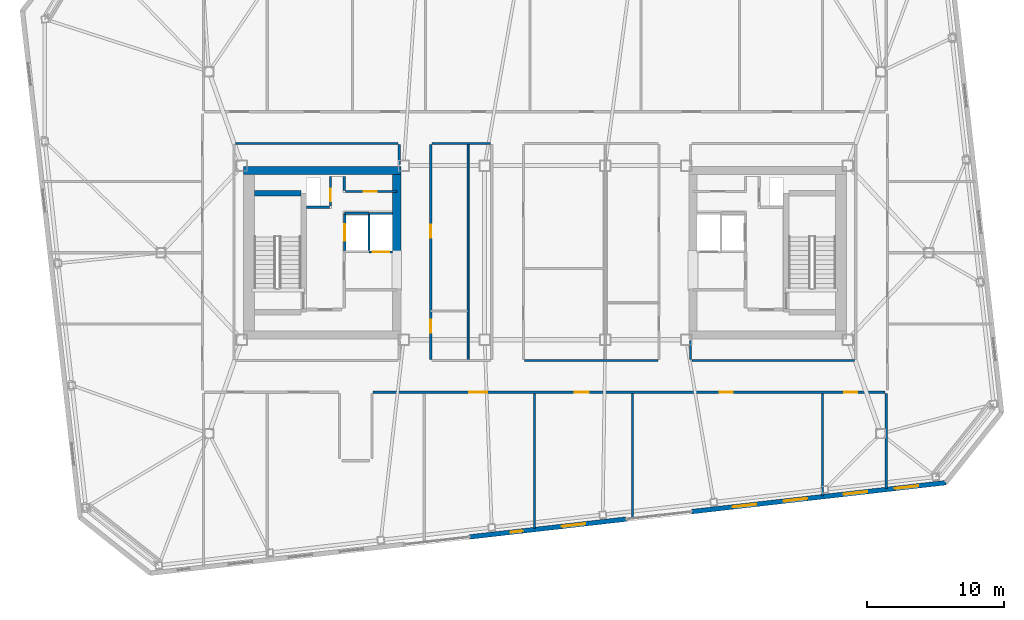
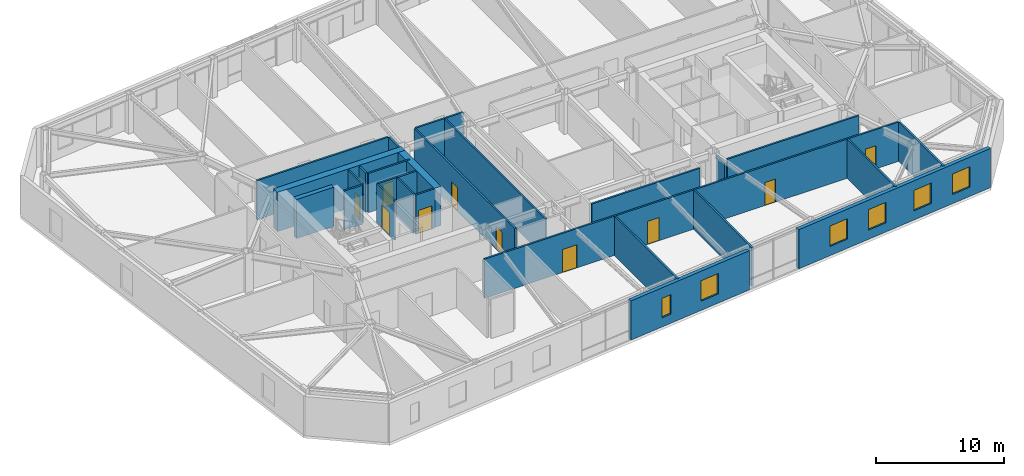
# One storey, part 13 of 20: 27 walls, 10 doors, 6 windows, 16 openings.
"""IFC4 building model written with IfcOpenShell, lengths in metres."""

from ifc_helpers import new_model, si_unit, direction, frame, frame_2d, origin, place, context, subcontext, project, spatial, rectangle, extrude, material, layer, layer_set, type_object, element, fill, save


model = new_model("IFC4")

# Units and contexts
model_context = context("Model", 3, precision=1e-05, world=origin(), true_north=direction((0.0, 1.0)))
body_context = subcontext(model_context, "Body", "Model", "MODEL_VIEW")
ifc_project = project(units=[si_unit("LENGTHUNIT", "METRE"), si_unit("AREAUNIT", "SQUARE_METRE"), si_unit("VOLUMEUNIT", "CUBIC_METRE"), si_unit("PLANEANGLEUNIT", "RADIAN"), si_unit("MASSUNIT", "GRAM", prefix="KILO")], contexts=[model_context])

# Site, building, storey
site_placement = place(None, origin())
site = spatial("IfcSite", under=ifc_project, at=site_placement, CompositionType="ELEMENT")
building_placement = place(site_placement, origin())
building = spatial("IfcBuilding", under=site, at=building_placement, Name="Tavrogorsk Clinical Tower", CompositionType="ELEMENT")
storey_placement = place(building_placement, frame((0.0, 0.0, 251.0)))
storey = spatial("IfcBuildingStorey", under=building, at=storey_placement, Name="L58", CompositionType="ELEMENT", Elevation=251.0)

# Wall
ifc_material_1 = material(Name="Lightweight concrete blockwork B15", Category="masonry")
ifc_layer_1 = layer(ifc_material_1, 0.139892578125)
ifc_layer_set_1 = layer_set([ifc_layer_1], Name="Lightweight concrete blockwork B15")
wall_type_1 = type_object("IfcWallType", Name="PartitionWall_140", PredefinedType="PARTITIONING", material=ifc_layer_set_1)
wall_1_placement = place(storey_placement, frame((-5.60009765625, -7.864990234375, 0.0), z_axis=(0.0, 0.0, 1.0), x_axis=(0.0, 1.0, 0.0)))
element("IfcWall", 1, at=wall_1_placement, inside=storey, type_object=wall_type_1, Name="L58 Central Spine Partition 1", PredefinedType="PARTITIONING", context=body_context, shape_type="SweptSolid", body=[
    extrude(rectangle(XDim=15.830078125, YDim=0.139892578125, at=frame_2d((7.9150390625, 0.0))), origin(), (0.0, 0.0, 1.0), 3.739990234375),
])

# Wall, opening, door
ifc_material_2 = material(Name="Lightweight concrete blockwork B15", Category="masonry")
ifc_layer_2 = layer(ifc_material_2, 0.159912109375)
ifc_layer_set_2 = layer_set([ifc_layer_2], Name="Lightweight concrete blockwork B15")
wall_type_2 = type_object("IfcWallType", Name="PartitionWall_160", PredefinedType="PARTITIONING", material=ifc_layer_set_2)
wall_2_placement = place(storey_placement, frame((-14.554931640625, 4.4599609375, 0.0), z_axis=(0.0, 0.0, 1.0), x_axis=(1.0, 0.0, 0.0)))
wall_2 = element("IfcWall", 2, at=wall_2_placement, inside=storey, type_object=wall_type_2, Name="L58 Core West Pneumatic Dispatch South Wall", PredefinedType="PARTITIONING", context=body_context, shape_type="SweptSolid", body=[
    extrude(rectangle(XDim=3.7548828125, YDim=0.159912109375, at=frame_2d((1.87744140625, 0.0))), origin(), (0.0, 0.0, 1.0), 3.739990234375),
])
opening_1_placement = place(wall_2_placement, frame((1.35009765625, 0.0, 0.0)))
opening_1 = element("IfcOpeningElement", 3, at=opening_1_placement, cuts=wall_2, Name="Opening ID-02", PredefinedType="OPENING", context=body_context, shape_type="SweptSolid", body=[
    extrude(rectangle(XDim=0.949951171875, YDim=2.199951171875, at=frame_2d((0.47509765625, 1.10009765625))), frame((0.0, 0.08984375, 0.0), z_axis=(0.0, -1.0, 0.0), x_axis=(1.0, 0.0, 0.0)), (0.0, 0.0, 1.0), 0.179931640625),
])
ifc_material_3 = material(Name="Laminated timber leaf on aluminium frame", Category="wood")
door_type_1 = type_object("IfcDoorType", Name="InteriorDoor_ID02_950", OperationType="NOTDEFINED", PredefinedType="DOOR", material=ifc_material_3)
door_1_placement = place(opening_1_placement, origin())
door_1 = element("IfcDoor", 4, at=door_1_placement, inside=storey, type_object=door_type_1, Name="L58 Core West Pneumatic Dispatch Door", OperationType="SINGLE_SWING_LEFT", OverallHeight=2.199951171875, OverallWidth=0.949951171875, PredefinedType="DOOR", context=body_context, shape_type="SweptSolid", body=[
    extrude(rectangle(XDim=0.949951171875, YDim=2.199951171875, at=frame_2d((0.47509765625, 1.10009765625))), frame((0.0, 0.02490234375, 0.0), z_axis=(0.0, -1.0, 0.0), x_axis=(1.0, 0.0, 0.0)), (0.0, 0.0, 1.0), 0.050048828125),
])
fill(opening_1, door_1)

# Wall
wall_3_placement = place(storey_placement, frame((-14.639892578125, 4.544921875, 0.0), z_axis=(0.0, 0.0, 1.0), x_axis=(0.0, 1.0, 0.0)))
element("IfcWall", 5, at=wall_3_placement, inside=storey, type_object=wall_type_2, Name="L58 Core West Pneumatic Dispatch East Wall", PredefinedType="PARTITIONING", context=body_context, shape_type="SweptSolid", body=[
    extrude(rectangle(XDim=1.01513671875, YDim=0.159912109375, at=frame_2d((0.507568359375, 0.0))), origin(), (0.0, 0.0, 1.0), 3.739990234375),
])

# Wall, openings, doors
wall_4_placement = place(storey_placement, frame((24.81494140625, -10.179931640625, 0.0), z_axis=(0.0, 0.0, 1.0), x_axis=(-1.0, 0.0, 0.0)))
wall_4 = element("IfcWall", 6, at=wall_4_placement, inside=storey, type_object=wall_type_2, Name="L58 Corridor Partition 04", PredefinedType="PARTITIONING", context=body_context, shape_type="SweptSolid", body=[
    extrude(rectangle(XDim=37.349853515625, YDim=0.159912109375, at=frame_2d((18.6748046875, 0.0))), origin(), (0.0, 0.0, 1.0), 3.739990234375),
])
opening_2_placement = place(wall_4_placement, frame((29.02490234375, 0.0, 0.0)))
opening_2 = element("IfcOpeningElement", 7, at=opening_2_placement, cuts=wall_4, Name="Opening ID-01", PredefinedType="OPENING", context=body_context, shape_type="SweptSolid", body=[
    extrude(rectangle(XDim=1.300048828125, YDim=2.199951171875, at=frame_2d((0.64990234375, 1.10009765625))), frame((0.0, 0.08984375, 0.0), z_axis=(0.0, -1.0, 0.0), x_axis=(1.0, 0.0, 0.0)), (0.0, 0.0, 1.0), 0.179931640625),
])
opening_3_placement = place(wall_4_placement, frame((21.60009765625, 0.0, 0.0)))
opening_3 = element("IfcOpeningElement", 8, at=opening_3_placement, cuts=wall_4, Name="Opening ID-04", PredefinedType="OPENING", context=body_context, shape_type="SweptSolid", body=[
    extrude(rectangle(XDim=1.050048828125, YDim=2.199951171875, at=frame_2d((0.52490234375, 1.10009765625))), frame((0.0, 0.08984375, 0.0), z_axis=(0.0, -1.0, 0.0), x_axis=(1.0, 0.0, 0.0)), (0.0, 0.0, 1.0), 0.179931640625),
])
opening_4_placement = place(wall_4_placement, frame((11.10009765625, 0.0, 0.0)))
opening_4 = element("IfcOpeningElement", 9, at=opening_4_placement, cuts=wall_4, Name="Opening ID-02", PredefinedType="OPENING", context=body_context, shape_type="SweptSolid", body=[
    extrude(rectangle(XDim=0.949951171875, YDim=2.199951171875, at=frame_2d((0.47509765625, 1.10009765625))), frame((0.0, 0.08984375, 0.0), z_axis=(0.0, -1.0, 0.0), x_axis=(1.0, 0.0, 0.0)), (0.0, 0.0, 1.0), 0.179931640625),
])
opening_5_placement = place(wall_4_placement, frame((2.044189453125, 0.0, 0.0)))
opening_5 = element("IfcOpeningElement", 10, at=opening_5_placement, cuts=wall_4, Name="Opening ID-02", PredefinedType="OPENING", context=body_context, shape_type="SweptSolid", body=[
    extrude(rectangle(XDim=0.949951171875, YDim=2.199951171875, at=frame_2d((0.47509765625, 1.10009765625))), frame((0.0, 0.08984375, 0.0), z_axis=(0.0, -1.0, 0.0), x_axis=(1.0, 0.0, 0.0)), (0.0, 0.0, 1.0), 0.179931640625),
])
ifc_material_4 = material(Name="Antibacterial HPL consultation door on aluminium frame", Category="aluminium")
door_type_2 = type_object("IfcDoorType", Name="ConsultDoor_ID04_1050", OperationType="NOTDEFINED", PredefinedType="DOOR", material=ifc_material_4)
door_2_placement = place(opening_3_placement, origin())
door_2 = element("IfcDoor", 11, at=door_2_placement, inside=storey, type_object=door_type_2, Name="L58 South Clean Medication & Prep Room 03B Door", OperationType="SINGLE_SWING_RIGHT", OverallHeight=2.199951171875, OverallWidth=1.050048828125, PredefinedType="DOOR", context=body_context, shape_type="SweptSolid", body=[
    extrude(rectangle(XDim=1.050048828125, YDim=2.199951171875, at=frame_2d((0.52490234375, 1.10009765625))), frame((0.0, 0.02490234375, 0.0), z_axis=(0.0, -1.0, 0.0), x_axis=(1.0, 0.0, 0.0)), (0.0, 0.0, 1.0), 0.050048828125),
])
fill(opening_3, door_2)
door_3_placement = place(opening_4_placement, origin())
door_3 = element("IfcDoor", 12, at=door_3_placement, inside=storey, type_object=door_type_1, Name="L58 South Soiled Utility & Sluice Room 04 Door", OperationType="SINGLE_SWING_LEFT", OverallHeight=2.199951171875, OverallWidth=0.949951171875, PredefinedType="DOOR", context=body_context, shape_type="SweptSolid", body=[
    extrude(rectangle(XDim=0.949951171875, YDim=2.199951171875, at=frame_2d((0.47509765625, 1.10009765625))), frame((0.0, 0.02490234375, 0.0), z_axis=(0.0, -1.0, 0.0), x_axis=(1.0, 0.0, 0.0)), (0.0, 0.0, 1.0), 0.050048828125),
])
fill(opening_4, door_3)
door_4_placement = place(opening_5_placement, origin())
door_4 = element("IfcDoor", 13, at=door_4_placement, inside=storey, type_object=door_type_1, Name="L58 South Clinical Case Seminar Room 05 Door", OperationType="SINGLE_SWING_RIGHT", OverallHeight=2.199951171875, OverallWidth=0.949951171875, PredefinedType="DOOR", context=body_context, shape_type="SweptSolid", body=[
    extrude(rectangle(XDim=0.949951171875, YDim=2.199951171875, at=frame_2d((0.47509765625, 1.10009765625))), frame((0.0, 0.02490234375, 0.0), z_axis=(0.0, -1.0, 0.0), x_axis=(1.0, 0.0, 0.0)), (0.0, 0.0, 1.0), 0.050048828125),
])
fill(opening_5, door_4)
ifc_material_5 = material(Name="Antibacterial HPL medical leaf on aluminium frame", Category="aluminium")
door_type_3 = type_object("IfcDoorType", Name="WardBedDoor_ID01_1300", OperationType="NOTDEFINED", PredefinedType="DOOR", material=ifc_material_5)
door_5_placement = place(opening_2_placement, origin())
door_5 = element("IfcDoor", 14, at=door_5_placement, inside=storey, type_object=door_type_3, Name="L58 South Surgical Step-Down Ward 03A Door", OperationType="SINGLE_SWING_LEFT", OverallHeight=2.199951171875, OverallWidth=1.300048828125, PredefinedType="DOOR", context=body_context, shape_type="SweptSolid", body=[
    extrude(rectangle(XDim=1.300048828125, YDim=2.199951171875, at=frame_2d((0.64990234375, 1.10009765625))), frame((0.0, 0.02490234375, 0.0), z_axis=(0.0, -1.0, 0.0), x_axis=(1.0, 0.0, 0.0)), (0.0, 0.0, 1.0), 0.050048828125),
])
fill(opening_2, door_5)

# Walls
wall_5_placement = place(storey_placement, frame((10.6298828125, -6.419921875, 0.0), z_axis=(0.0, 0.0, 1.0), x_axis=(0.0, -1.0, 0.0)))
element("IfcWall", 15, at=wall_5_placement, inside=storey, type_object=wall_type_2, Name="L58 Corridor Partition 11", PredefinedType="PARTITIONING", context=body_context, shape_type="SweptSolid", body=[
    extrude(rectangle(XDim=1.364990234375, YDim=0.159912109375, at=frame_2d((0.6826171875, 0.0))), origin(), (0.0, 0.0, 1.0), 3.284912109375),
])
wall_6_placement = place(storey_placement, frame((10.715087890625, -7.8701171875, 0.0), z_axis=(0.0, 0.0, 1.0), x_axis=(1.0, 0.0, 0.0)))
element("IfcWall", 16, at=wall_6_placement, inside=storey, type_object=wall_type_2, Name="L58 Corridor Partition 12", PredefinedType="PARTITIONING", context=body_context, shape_type="SweptSolid", body=[
    extrude(rectangle(XDim=11.869873046875, YDim=0.159912109375, at=frame_2d((5.93505859375, 0.0))), origin(), (0.0, 0.0, 1.0), 3.739990234375),
])
wall_7_placement = place(storey_placement, frame((-1.485107421875, -7.8701171875, 0.0), z_axis=(0.0, 0.0, 1.0), x_axis=(1.0, 0.0, 0.0)))
element("IfcWall", 17, at=wall_7_placement, inside=storey, type_object=wall_type_2, Name="L58 Corridor Partition 16", PredefinedType="PARTITIONING", context=body_context, shape_type="SweptSolid", body=[
    extrude(rectangle(XDim=9.72021484375, YDim=0.159912109375, at=frame_2d((4.860107421875, 0.0))), origin(), (0.0, 0.0, 1.0), 3.739990234375),
])
wall_8_placement = place(storey_placement, frame((-3.965087890625, 7.969970703125, 0.0), z_axis=(0.0, 0.0, 1.0), x_axis=(-1.0, 0.0, 0.0)))
element("IfcWall", 18, at=wall_8_placement, inside=storey, type_object=wall_type_2, Name="L58 Corridor Partition 19", PredefinedType="PARTITIONING", context=body_context, shape_type="SweptSolid", body=[
    extrude(rectangle(XDim=4.27001953125, YDim=0.159912109375, at=frame_2d((2.135009765625, 0.0))), origin(), (0.0, 0.0, 1.0), 3.739990234375),
])

# Wall, openings, doors
wall_9_placement = place(storey_placement, frame((-8.320068359375, 7.885009765625, 0.0), z_axis=(0.0, 0.0, 1.0), x_axis=(0.0, -1.0, 0.0)))
wall_9 = element("IfcWall", 19, at=wall_9_placement, inside=storey, type_object=wall_type_2, Name="L58 Corridor Partition 20", PredefinedType="PARTITIONING", context=body_context, shape_type="SweptSolid", body=[
    extrude(rectangle(XDim=15.669921875, YDim=0.159912109375, at=frame_2d((7.8349609375, 0.0))), origin(), (0.0, 0.0, 1.0), 3.739990234375),
])
opening_6_placement = place(wall_9_placement, frame((12.760986328125, 0.0, 0.0)))
opening_6 = element("IfcOpeningElement", 20, at=opening_6_placement, cuts=wall_9, Name="Opening ID-02", PredefinedType="OPENING", context=body_context, shape_type="SweptSolid", body=[
    extrude(rectangle(XDim=0.949951171875, YDim=2.199951171875, at=frame_2d((0.47509765625, 1.10009765625))), frame((0.0, 0.08984375, 0.0), z_axis=(0.0, -1.0, 0.0), x_axis=(1.0, 0.0, 0.0)), (0.0, 0.0, 1.0), 0.179931640625),
])
opening_7_placement = place(wall_9_placement, frame((5.8291015625, 0.0, 0.0)))
opening_7 = element("IfcOpeningElement", 21, at=opening_7_placement, cuts=wall_9, Name="Opening ID-02", PredefinedType="OPENING", context=body_context, shape_type="SweptSolid", body=[
    extrude(rectangle(XDim=0.949951171875, YDim=2.199951171875, at=frame_2d((0.47509765625, 1.10009765625))), frame((0.0, 0.08984375, 0.0), z_axis=(0.0, -1.0, 0.0), x_axis=(1.0, 0.0, 0.0)), (0.0, 0.0, 1.0), 0.179931640625),
])
door_6_placement = place(opening_6_placement, origin())
door_6 = element("IfcDoor", 22, at=door_6_placement, inside=storey, type_object=door_type_1, Name="L58 Accessible Patient Lavatory Door", OperationType="SINGLE_SWING_LEFT", OverallHeight=2.199951171875, OverallWidth=0.949951171875, PredefinedType="DOOR", context=body_context, shape_type="SweptSolid", body=[
    extrude(rectangle(XDim=0.949951171875, YDim=2.199951171875, at=frame_2d((0.47509765625, 1.10009765625))), frame((0.0, 0.02490234375, 0.0), z_axis=(0.0, -1.0, 0.0), x_axis=(1.0, 0.0, 0.0)), (0.0, 0.0, 1.0), 0.050048828125),
])
fill(opening_6, door_6)
door_7_placement = place(opening_7_placement, origin())
door_7 = element("IfcDoor", 23, at=door_7_placement, inside=storey, type_object=door_type_1, Name="L58 Ward Nourishment Pantry Door", OperationType="SINGLE_SWING_RIGHT", OverallHeight=2.199951171875, OverallWidth=0.949951171875, PredefinedType="DOOR", context=body_context, shape_type="SweptSolid", body=[
    extrude(rectangle(XDim=0.949951171875, YDim=2.199951171875, at=frame_2d((0.47509765625, 1.10009765625))), frame((0.0, 0.02490234375, 0.0), z_axis=(0.0, -1.0, 0.0), x_axis=(1.0, 0.0, 0.0)), (0.0, 0.0, 1.0), 0.050048828125),
])
fill(opening_7, door_7)

# Walls
wall_10_placement = place(storey_placement, frame((-10.6298828125, 6.419921875, 0.0), z_axis=(0.0, 0.0, 1.0), x_axis=(0.0, 1.0, 0.0)))
element("IfcWall", 24, at=wall_10_placement, inside=storey, type_object=wall_type_2, Name="L58 Corridor Partition 23", PredefinedType="PARTITIONING", context=body_context, shape_type="SweptSolid", body=[
    extrude(rectangle(XDim=1.465087890625, YDim=0.159912109375, at=frame_2d((0.732421875, 0.0))), origin(), (0.0, 0.0, 1.0), 3.739990234375),
])
wall_11_placement = place(storey_placement, frame((-10.715087890625, 7.969970703125, 0.0), z_axis=(0.0, 0.0, 1.0), x_axis=(-1.0, 0.0, 0.0)))
element("IfcWall", 25, at=wall_11_placement, inside=storey, type_object=wall_type_2, Name="L58 Corridor Partition 24", PredefinedType="PARTITIONING", context=body_context, shape_type="SweptSolid", body=[
    extrude(rectangle(XDim=11.869873046875, YDim=0.159912109375, at=frame_2d((5.93505859375, 0.0))), origin(), (0.0, 0.0, 1.0), 3.739990234375),
])
wall_12_placement = place(storey_placement, frame((24.89990234375, -17.199462890625, 0.0), z_axis=(0.0, 0.0, 1.0), x_axis=(0.0, 1.0, 0.0)))
element("IfcWall", 26, at=wall_12_placement, inside=storey, type_object=wall_type_2, Name="L58 SE Wing Closure Partition", PredefinedType="PARTITIONING", context=body_context, shape_type="SweptSolid", body=[
    extrude(rectangle(XDim=6.9345703125, YDim=0.159912109375, at=frame_2d((3.46728515625, 0.0))), origin(), (0.0, 0.0, 1.0), 3.739990234375),
])
wall_13_placement = place(storey_placement, frame((6.39990234375, -19.30712890625, 0.0), z_axis=(0.0, 0.0, 1.0), x_axis=(0.0, 1.0, 0.0)))
element("IfcWall", 27, at=wall_13_placement, inside=storey, type_object=wall_type_2, Name="L58 South Room Partition 3", PredefinedType="PARTITIONING", context=body_context, shape_type="SweptSolid", body=[
    extrude(rectangle(XDim=9.042236328125, YDim=0.159912109375, at=frame_2d((4.52099609375, 0.0))), origin(), (0.0, 0.0, 1.0), 3.739990234375),
])
wall_14_placement = place(storey_placement, frame((20.25, -17.729248046875, 0.0), z_axis=(0.0, 0.0, 1.0), x_axis=(0.0, 1.0, 0.0)))
element("IfcWall", 28, at=wall_14_placement, inside=storey, type_object=wall_type_2, Name="L58 South Room Partition 4", PredefinedType="PARTITIONING", context=body_context, shape_type="SweptSolid", body=[
    extrude(rectangle(XDim=7.46435546875, YDim=0.159912109375, at=frame_2d((3.732177734375, 0.0))), origin(), (0.0, 0.0, 1.0), 3.739990234375),
])
wall_15_placement = place(storey_placement, frame((-0.75, -20.121826171875, 0.0), z_axis=(0.0, 0.0, 1.0), x_axis=(0.0, 1.0, 0.0)))
element("IfcWall", 29, at=wall_15_placement, inside=storey, type_object=wall_type_2, Name="L58 South Sub-Partition 3", PredefinedType="PARTITIONING", context=body_context, shape_type="SweptSolid", body=[
    extrude(rectangle(XDim=9.85693359375, YDim=0.159912109375, at=frame_2d((4.928466796875, 0.0))), origin(), (0.0, 0.0, 1.0), 3.739990234375),
])

# Wall, openings, windows
ifc_material_6 = material(Name="Precast concrete B45 with limestone cladding", Category="masonry")
ifc_layer_3 = layer(ifc_material_6, 0.340087890625)
ifc_layer_set_3 = layer_set([ifc_layer_3], Name="Precast concrete B45 with limestone cladding")
wall_type_3 = type_object("IfcWallType", Name="PrecastLimestoneWall_340", PredefinedType="STANDARD", material=ifc_layer_set_3)
wall_16_placement = place(storey_placement, frame((-5.48193359375, -20.7314453125, 0.0), z_axis=(0.0, 0.0, 1.0), x_axis=(0.993571968199, 0.113202226169, 0.0)))
wall_16 = element("IfcWall", 30, at=wall_16_placement, inside=storey, type_object=wall_type_3, Name="L58 S Limestone Facade Wall 2", PredefinedType="STANDARD", context=body_context, shape_type="SweptSolid", body=[
    extrude(rectangle(XDim=11.497314453125, YDim=0.340087890625, at=frame_2d((5.74853515625, 0.0))), origin(), (0.0, 0.0, 1.0), 3.739990234375),
])
opening_8_placement = place(wall_16_placement, frame((3.0244140625, 0.0, 0.8798828125)))
opening_8 = element("IfcOpeningElement", 31, at=opening_8_placement, cuts=wall_16, Name="Opening WN-06", PredefinedType="OPENING", context=body_context, shape_type="SweptSolid", body=[
    extrude(rectangle(XDim=0.85009765625, YDim=1.85009765625, at=frame_2d((0.425048828125, 0.925048828125))), frame((0.0, 0.179931640625, 0.0), z_axis=(0.0, -1.0, 0.0), x_axis=(1.0, 0.0, 0.0)), (0.0, 0.0, 1.0), 0.360107421875),
])
opening_9_placement = place(wall_16_placement, frame((6.772705078125, 0.0, 0.8798828125)))
opening_9 = element("IfcOpeningElement", 32, at=opening_9_placement, cuts=wall_16, Name="Opening WN-15", PredefinedType="OPENING", context=body_context, shape_type="SweptSolid", body=[
    extrude(rectangle(XDim=1.699951171875, YDim=1.949951171875, at=frame_2d((0.85009765625, 0.97509765625))), frame((0.0, 0.179931640625, 0.0), z_axis=(0.0, -1.0, 0.0), x_axis=(1.0, 0.0, 0.0)), (0.0, 0.0, 1.0), 0.360107421875),
])
ifc_material_7 = material(Name="Thermally broken aluminium frame and triple IGU", Category="aluminium")
window_type_1 = type_object("IfcWindowType", Name="MullionSubWin_850x1850", PartitioningType="SINGLE_PANEL", PredefinedType="WINDOW", material=ifc_material_7)
window_1_placement = place(opening_8_placement, origin())
window_1 = element("IfcWindow", 33, at=window_1_placement, inside=storey, type_object=window_type_1, Name="L58 S Mullion Split Window 05A", OverallHeight=1.85009765625, OverallWidth=0.85009765625, PartitioningType="SINGLE_PANEL", PredefinedType="WINDOW", context=body_context, shape_type="SweptSolid", body=[
    extrude(rectangle(XDim=0.85009765625, YDim=1.85009765625, at=frame_2d((0.425048828125, 0.925048828125))), frame((0.0, 0.030029296875, 0.0), z_axis=(0.0, -1.0, 0.0), x_axis=(1.0, 0.0, 0.0)), (0.0, 0.0, 1.0), 0.06005859375),
])
fill(opening_8, window_1)
ifc_material_8 = material(Name="Thermally broken aluminium frame and triple IGU", Category="aluminium")
window_type_2 = type_object("IfcWindowType", Name="OfficeChicagoWin_1700x1950", PartitioningType="SINGLE_PANEL", PredefinedType="WINDOW", material=ifc_material_8)
window_2_placement = place(opening_9_placement, origin())
window_2 = element("IfcWindow", 34, at=window_2_placement, inside=storey, type_object=window_type_2, Name="L58 S Chicago Window 06", OverallHeight=1.949951171875, OverallWidth=1.699951171875, PartitioningType="SINGLE_PANEL", PredefinedType="WINDOW", context=body_context, shape_type="SweptSolid", body=[
    extrude(rectangle(XDim=1.699951171875, YDim=1.949951171875, at=frame_2d((0.85009765625, 0.97509765625))), frame((0.0, 0.030029296875, 0.0), z_axis=(0.0, -1.0, 0.0), x_axis=(1.0, 0.0, 0.0)), (0.0, 0.0, 1.0), 0.06005859375),
])
fill(opening_9, window_2)

wall_17_placement = place(storey_placement, frame((10.71044921875, -18.886474609375, 0.0), z_axis=(0.0, 0.0, 1.0), x_axis=(0.993572271362, 0.113199565282, 0.0)))
wall_17 = element("IfcWall", 35, at=wall_17_placement, inside=storey, type_object=wall_type_3, Name="L58 S Limestone Facade Wall 3", PredefinedType="STANDARD", context=body_context, shape_type="SweptSolid", body=[
    extrude(rectangle(XDim=18.6513671875, YDim=0.340087890625, at=frame_2d((9.32568359375, 0.0))), origin(), (0.0, 0.0, 1.0), 3.739990234375),
])
opening_10_placement = place(wall_17_placement, frame((3.0244140625, 0.0, 0.8798828125)))
opening_10 = element("IfcOpeningElement", 36, at=opening_10_placement, cuts=wall_17, Name="Opening WN-15", PredefinedType="OPENING", context=body_context, shape_type="SweptSolid", body=[
    extrude(rectangle(XDim=1.699951171875, YDim=1.949951171875, at=frame_2d((0.85009765625, 0.97509765625))), frame((0.0, 0.179931640625, 0.0), z_axis=(0.0, -1.0, 0.0), x_axis=(1.0, 0.0, 0.0)), (0.0, 0.0, 1.0), 0.360107421875),
])
opening_11_placement = place(wall_17_placement, frame((6.772705078125, 0.0, 0.8798828125)))
opening_11 = element("IfcOpeningElement", 37, at=opening_11_placement, cuts=wall_17, Name="Opening WN-15", PredefinedType="OPENING", context=body_context, shape_type="SweptSolid", body=[
    extrude(rectangle(XDim=1.699951171875, YDim=1.949951171875, at=frame_2d((0.85009765625, 0.97509765625))), frame((0.0, 0.179931640625, 0.0), z_axis=(0.0, -1.0, 0.0), x_axis=(1.0, 0.0, 0.0)), (0.0, 0.0, 1.0), 0.360107421875),
])
opening_12_placement = place(wall_17_placement, frame((11.1728515625, 0.0, 0.8798828125)))
opening_12 = element("IfcOpeningElement", 38, at=opening_12_placement, cuts=wall_17, Name="Opening WN-15", PredefinedType="OPENING", context=body_context, shape_type="SweptSolid", body=[
    extrude(rectangle(XDim=1.699951171875, YDim=1.949951171875, at=frame_2d((0.85009765625, 0.97509765625))), frame((0.0, 0.179931640625, 0.0), z_axis=(0.0, -1.0, 0.0), x_axis=(1.0, 0.0, 0.0)), (0.0, 0.0, 1.0), 0.360107421875),
])
opening_13_placement = place(wall_17_placement, frame((14.921142578125, 0.0, 0.8798828125)))
opening_13 = element("IfcOpeningElement", 39, at=opening_13_placement, cuts=wall_17, Name="Opening WN-15", PredefinedType="OPENING", context=body_context, shape_type="SweptSolid", body=[
    extrude(rectangle(XDim=1.699951171875, YDim=1.949951171875, at=frame_2d((0.85009765625, 0.97509765625))), frame((0.0, 0.179931640625, 0.0), z_axis=(0.0, -1.0, 0.0), x_axis=(1.0, 0.0, 0.0)), (0.0, 0.0, 1.0), 0.360107421875),
])
window_3_placement = place(opening_10_placement, origin())
window_3 = element("IfcWindow", 40, at=window_3_placement, inside=storey, type_object=window_type_2, Name="L58 S Chicago Window 07", OverallHeight=1.949951171875, OverallWidth=1.699951171875, PartitioningType="SINGLE_PANEL", PredefinedType="WINDOW", context=body_context, shape_type="SweptSolid", body=[
    extrude(rectangle(XDim=1.699951171875, YDim=1.949951171875, at=frame_2d((0.85009765625, 0.97509765625))), frame((0.0, 0.030029296875, 0.0), z_axis=(0.0, -1.0, 0.0), x_axis=(1.0, 0.0, 0.0)), (0.0, 0.0, 1.0), 0.06005859375),
])
fill(opening_10, window_3)
window_4_placement = place(opening_11_placement, origin())
window_4 = element("IfcWindow", 41, at=window_4_placement, inside=storey, type_object=window_type_2, Name="L58 S Chicago Window 08", OverallHeight=1.949951171875, OverallWidth=1.699951171875, PartitioningType="SINGLE_PANEL", PredefinedType="WINDOW", context=body_context, shape_type="SweptSolid", body=[
    extrude(rectangle(XDim=1.699951171875, YDim=1.949951171875, at=frame_2d((0.85009765625, 0.97509765625))), frame((0.0, 0.030029296875, 0.0), z_axis=(0.0, -1.0, 0.0), x_axis=(1.0, 0.0, 0.0)), (0.0, 0.0, 1.0), 0.06005859375),
])
fill(opening_11, window_4)
window_5_placement = place(opening_12_placement, origin())
window_5 = element("IfcWindow", 42, at=window_5_placement, inside=storey, type_object=window_type_2, Name="L58 S Chicago Window 09", OverallHeight=1.949951171875, OverallWidth=1.699951171875, PartitioningType="SINGLE_PANEL", PredefinedType="WINDOW", context=body_context, shape_type="SweptSolid", body=[
    extrude(rectangle(XDim=1.699951171875, YDim=1.949951171875, at=frame_2d((0.85009765625, 0.97509765625))), frame((0.0, 0.030029296875, 0.0), z_axis=(0.0, -1.0, 0.0), x_axis=(1.0, 0.0, 0.0)), (0.0, 0.0, 1.0), 0.06005859375),
])
fill(opening_12, window_5)
window_6_placement = place(opening_13_placement, origin())
window_6 = element("IfcWindow", 43, at=window_6_placement, inside=storey, type_object=window_type_2, Name="L58 S Chicago Window 10", OverallHeight=1.949951171875, OverallWidth=1.699951171875, PartitioningType="SINGLE_PANEL", PredefinedType="WINDOW", context=body_context, shape_type="SweptSolid", body=[
    extrude(rectangle(XDim=1.699951171875, YDim=1.949951171875, at=frame_2d((0.85009765625, 0.97509765625))), frame((0.0, 0.030029296875, 0.0), z_axis=(0.0, -1.0, 0.0), x_axis=(1.0, 0.0, 0.0)), (0.0, 0.0, 1.0), 0.06005859375),
])
fill(opening_13, window_6)

# Wall, opening, door
ifc_material_9 = material(Name="Lightweight concrete blockwork B25", Category="masonry")
ifc_layer_4 = layer(ifc_material_9, 0.159912109375)
ifc_layer_set_4 = layer_set([ifc_layer_4], Name="Lightweight concrete blockwork B25")
wall_type_4 = type_object("IfcWallType", Name="ShaftWall_160", PredefinedType="PARTITIONING", material=ifc_layer_set_4)
wall_18_placement = place(storey_placement, frame((-14.60009765625, 0.1201171875, 0.0), z_axis=(0.0, 0.0, 1.0), x_axis=(0.0, 1.0, 0.0)))
wall_18 = element("IfcWall", 44, at=wall_18_placement, inside=storey, type_object=wall_type_4, Name="L58 FFL-W Firefighting Lift Front Wall", PredefinedType="PARTITIONING", context=body_context, shape_type="SweptSolid", body=[
    extrude(rectangle(XDim=2.739990234375, YDim=0.159912109375, at=frame_2d((1.3701171875, 0.0))), origin(), (0.0, 0.0, 1.0), 3.739990234375),
])
opening_14_placement = place(wall_18_placement, frame((0.77001953125, 0.0, 0.0)))
opening_14 = element("IfcOpeningElement", 45, at=opening_14_placement, cuts=wall_18, Name="Opening LD", PredefinedType="OPENING", context=body_context, shape_type="SweptSolid", body=[
    extrude(rectangle(XDim=1.199951171875, YDim=2.199951171875, at=frame_2d((0.60009765625, 1.10009765625))), frame((0.0, 0.08984375, 0.0), z_axis=(0.0, -1.0, 0.0), x_axis=(1.0, 0.0, 0.0)), (0.0, 0.0, 1.0), 0.179931640625),
])
ifc_material_10 = material(Name="Brushed stainless steel AISI 304 sliding doors", Category="steel")
door_type_4 = type_object("IfcDoorType", Name="LiftLandingDoor_LD_1200", OperationType="SLIDING_TO_LEFT", PredefinedType="DOOR", material=ifc_material_10)
door_8_placement = place(opening_14_placement, origin())
door_8 = element("IfcDoor", 46, at=door_8_placement, inside=storey, type_object=door_type_4, Name="L58 FFL-W Sliding Lift Landing Door", OperationType="SLIDING_TO_LEFT", OverallHeight=2.199951171875, OverallWidth=1.199951171875, PredefinedType="DOOR", context=body_context, shape_type="SweptSolid", body=[
    extrude(rectangle(XDim=1.199951171875, YDim=2.199951171875, at=frame_2d((0.60009765625, 1.10009765625))), frame((0.0, 0.02490234375, 0.0), z_axis=(0.0, -1.0, 0.0), x_axis=(1.0, 0.0, 0.0)), (0.0, 0.0, 1.0), 0.050048828125),
])
fill(opening_14, door_8)

# Walls
wall_19_placement = place(storey_placement, frame((-14.60009765625, 2.8798828125, 0.0), z_axis=(0.0, 0.0, 1.0), x_axis=(1.0, 0.0, 0.0)))
element("IfcWall", 47, at=wall_19_placement, inside=storey, type_object=wall_type_4, Name="L58 FFL-W Shaft North Wall", PredefinedType="PARTITIONING", context=body_context, shape_type="SweptSolid", body=[
    extrude(rectangle(XDim=1.760009765625, YDim=0.159912109375, at=frame_2d((0.8798828125, 0.0))), origin(), (0.0, 0.0, 1.0), 3.739990234375),
])
wall_20_placement = place(storey_placement, frame((-12.840087890625, 0.179931640625, 0.0), z_axis=(0.0, 0.0, 1.0), x_axis=(0.0, 1.0, 0.0)))
element("IfcWall", 48, at=wall_20_placement, inside=storey, type_object=wall_type_4, Name="L58 FFL-W Shaft Back Wall", PredefinedType="PARTITIONING", context=body_context, shape_type="SweptSolid", body=[
    extrude(rectangle(XDim=2.6201171875, YDim=0.159912109375, at=frame_2d((1.31005859375, 0.0))), origin(), (0.0, 0.0, 1.0), 3.739990234375),
])

# Wall, opening, door
wall_21_placement = place(storey_placement, frame((-12.820068359375, 0.06005859375, 0.0), z_axis=(0.0, 0.0, 1.0), x_axis=(1.0, 0.0, 0.0)))
wall_21 = element("IfcWall", 49, at=wall_21_placement, inside=storey, type_object=wall_type_4, Name="L58 LP-H1 High-Zone Lift Portal Wall", PredefinedType="PARTITIONING", context=body_context, shape_type="SweptSolid", body=[
    extrude(rectangle(XDim=1.719970703125, YDim=0.159912109375, at=frame_2d((0.85986328125, 0.0))), origin(), (0.0, 0.0, 1.0), 3.739990234375),
])
opening_15_placement = place(wall_21_placement, frame((0.260009765625, 0.0, 0.0)))
opening_15 = element("IfcOpeningElement", 50, at=opening_15_placement, cuts=wall_21, Name="Opening LD", PredefinedType="OPENING", context=body_context, shape_type="SweptSolid", body=[
    extrude(rectangle(XDim=1.199951171875, YDim=2.199951171875, at=frame_2d((0.60009765625, 1.10009765625))), frame((0.0, 0.08984375, 0.0), z_axis=(0.0, -1.0, 0.0), x_axis=(1.0, 0.0, 0.0)), (0.0, 0.0, 1.0), 0.179931640625),
])
door_9_placement = place(opening_15_placement, origin())
door_9 = element("IfcDoor", 51, at=door_9_placement, inside=storey, type_object=door_type_4, Name="L58 LP-H1 Sliding Lift Landing Door", OperationType="SLIDING_TO_LEFT", OverallHeight=2.199951171875, OverallWidth=1.199951171875, PredefinedType="DOOR", context=body_context, shape_type="SweptSolid", body=[
    extrude(rectangle(XDim=1.199951171875, YDim=2.199951171875, at=frame_2d((0.60009765625, 1.10009765625))), frame((0.0, 0.02490234375, 0.0), z_axis=(0.0, -1.0, 0.0), x_axis=(1.0, 0.0, 0.0)), (0.0, 0.0, 1.0), 0.050048828125),
])
fill(opening_15, door_9)

# Wall
wall_22_placement = place(storey_placement, frame((-12.820068359375, 2.860107421875, 0.0), z_axis=(0.0, 0.0, 1.0), x_axis=(1.0, 0.0, 0.0)))
element("IfcWall", 52, at=wall_22_placement, inside=storey, type_object=wall_type_4, Name="L58 LP-H1 High-Zone Lift Rear Wall", PredefinedType="PARTITIONING", context=body_context, shape_type="SweptSolid", body=[
    extrude(rectangle(XDim=1.719970703125, YDim=0.159912109375, at=frame_2d((0.85986328125, 0.0))), origin(), (0.0, 0.0, 1.0), 3.739990234375),
])

# Wall, opening, door
wall_23_placement = place(storey_placement, frame((-15.639892578125, 3.405029296875, 0.0), z_axis=(0.0, 0.0, 1.0), x_axis=(0.0, 1.0, 0.0)))
wall_23 = element("IfcWall", 53, at=wall_23_placement, inside=storey, type_object=wall_type_4, Name="L58 Core West Riser West Wall", PredefinedType="PARTITIONING", context=body_context, shape_type="SweptSolid", body=[
    extrude(rectangle(XDim=2.155029296875, YDim=0.159912109375, at=frame_2d((1.07763671875, 0.0))), origin(), (0.0, 0.0, 1.0), 3.739990234375),
])
opening_16_placement = place(wall_23_placement, frame((0.35009765625, 0.0, 0.0)))
opening_16 = element("IfcOpeningElement", 54, at=opening_16_placement, cuts=wall_23, Name="Opening FD-02", PredefinedType="OPENING", context=body_context, shape_type="SweptSolid", body=[
    extrude(rectangle(XDim=0.89990234375, YDim=2.199951171875, at=frame_2d((0.449951171875, 1.10009765625))), frame((0.0, 0.08984375, 0.0), z_axis=(0.0, -1.0, 0.0), x_axis=(1.0, 0.0, 0.0)), (0.0, 0.0, 1.0), 0.179931640625),
])
ifc_material_11 = material(Name="Galvanised steel fire-rated door assembly", Category="steel")
door_type_5 = type_object("IfcDoorType", Name="FireDoor_FD02_900", OperationType="NOTDEFINED", PredefinedType="DOOR", material=ifc_material_11)
door_10_placement = place(opening_16_placement, origin())
door_10 = element("IfcDoor", 55, at=door_10_placement, inside=storey, type_object=door_type_5, Name="L58 Core West Electrical Riser Access Door", OperationType="SINGLE_SWING_LEFT", OverallHeight=2.199951171875, OverallWidth=0.89990234375, PredefinedType="DOOR", context=body_context, shape_type="SweptSolid", body=[
    extrude(rectangle(XDim=0.89990234375, YDim=2.199951171875, at=frame_2d((0.449951171875, 1.10009765625))), frame((0.0, 0.02490234375, 0.0), z_axis=(0.0, -1.0, 0.0), x_axis=(1.0, 0.0, 0.0)), (0.0, 0.0, 1.0), 0.050048828125),
])
fill(opening_16, door_10)

# Walls
wall_24_placement = place(storey_placement, frame((-17.3798828125, 3.320068359375, 0.0), z_axis=(0.0, 0.0, 1.0), x_axis=(1.0, 0.0, 0.0)))
element("IfcWall", 56, at=wall_24_placement, inside=storey, type_object=wall_type_4, Name="L58 Core West Riser South Wall", PredefinedType="PARTITIONING", context=body_context, shape_type="SweptSolid", body=[
    extrude(rectangle(XDim=1.65478515625, YDim=0.159912109375, at=frame_2d((0.827392578125, 0.0))), origin(), (0.0, 0.0, 1.0), 3.739990234375),
])
ifc_material_12 = material(Name="Concrete B80", Category="concrete")
ifc_layer_5 = layer(ifc_material_12, 0.39990234375)
ifc_layer_set_5 = layer_set([ifc_layer_5], Name="Concrete B80")
wall_type_5 = type_object("IfcWallType", Name="ShearWall_400", PredefinedType="SHEAR", material=ifc_layer_set_5)
wall_25_placement = place(storey_placement, frame((-21.199951171875, 4.324951171875, 0.0), z_axis=(0.0, 0.0, 1.0), x_axis=(1.0, 0.0, 0.0)))
element("IfcWall", 57, at=wall_25_placement, inside=storey, type_object=wall_type_5, Name="L58 Core West Stair Shaft North Shear Wall", PredefinedType="SHEAR", context=body_context, shape_type="SweptSolid", body=[
    extrude(rectangle(XDim=3.39990234375, YDim=0.39990234375, at=frame_2d((1.699951171875, 0.0))), origin(), (0.0, 0.0, 1.0), 3.739990234375),
])
ifc_material_13 = material(Name="Concrete B80", Category="concrete")
ifc_layer_6 = layer(ifc_material_13, 0.60009765625)
ifc_layer_set_6 = layer_set([ifc_layer_6], Name="Concrete B80")
wall_type_6 = type_object("IfcWallType", Name="ShearWall_600", PredefinedType="SHEAR", material=ifc_layer_set_6)
wall_26_placement = place(storey_placement, frame((-22.0, 6.0, 0.0), z_axis=(0.0, 0.0, 1.0), x_axis=(1.0, 0.0, 0.0)))
element("IfcWall", 58, at=wall_26_placement, inside=storey, type_object=wall_type_6, Name="L58 Core West North Shear Wall", PredefinedType="SHEAR", context=body_context, shape_type="SweptSolid", body=[
    extrude(rectangle(XDim=11.5, YDim=0.60009765625, at=frame_2d((5.75, 0.0))), origin(), (0.0, 0.0, 1.0), 3.739990234375),
])
wall_27_placement = place(storey_placement, frame((-10.800048828125, 0.050048828125, 0.0), z_axis=(0.0, 0.0, 1.0), x_axis=(0.0, 1.0, 0.0)))
element("IfcWall", 59, at=wall_27_placement, inside=storey, type_object=wall_type_6, Name="L58 Core West Inner North Pier", PredefinedType="SHEAR", context=body_context, shape_type="SweptSolid", body=[
    extrude(rectangle(XDim=5.64990234375, YDim=0.60009765625, at=frame_2d((2.824951171875, 0.0))), origin(), (0.0, 0.0, 1.0), 3.739990234375),
])

save(model, "model.ifc")
